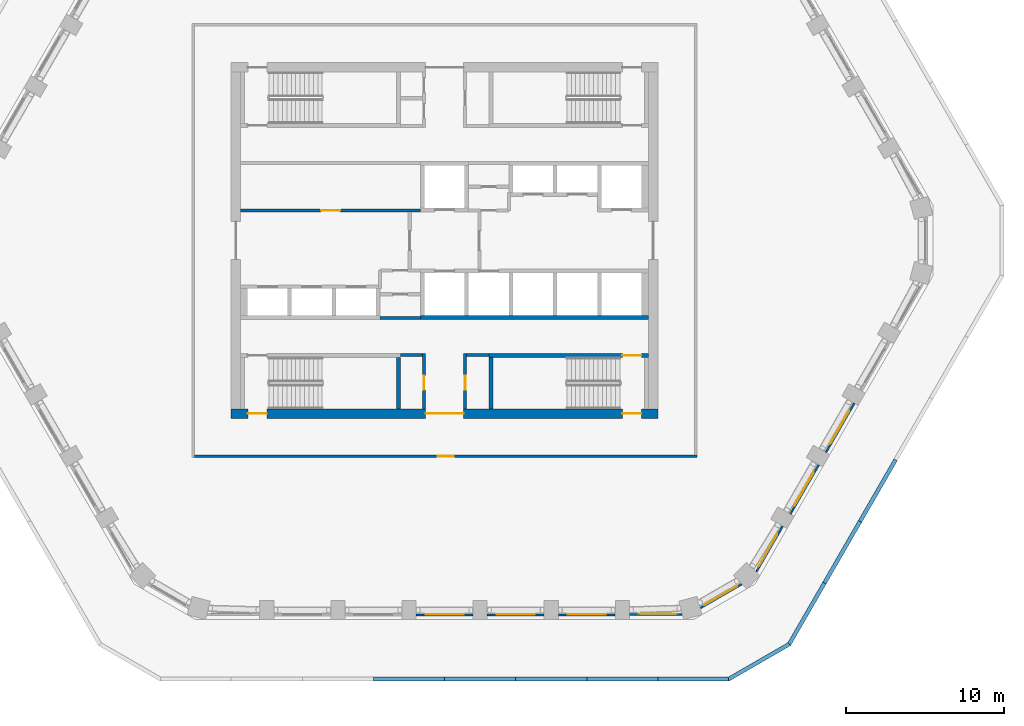
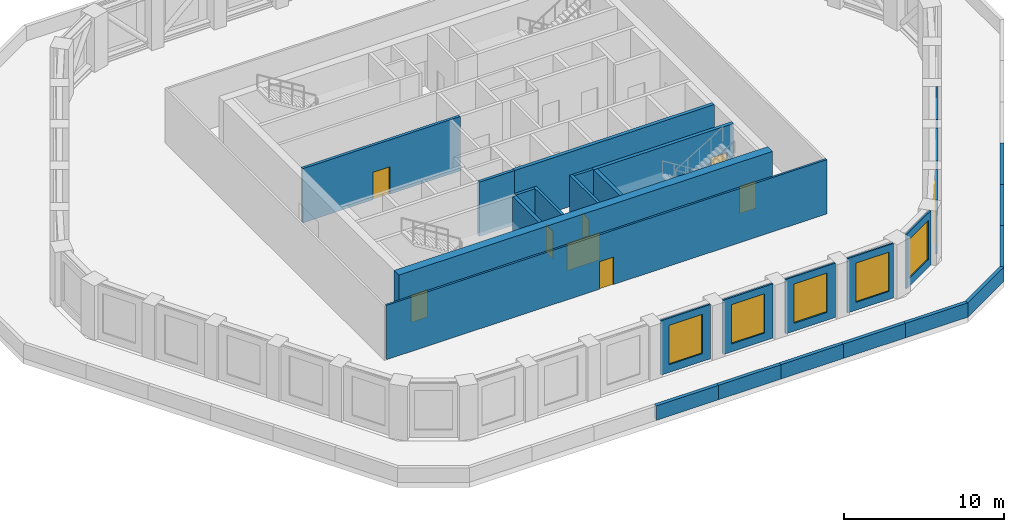
# One storey, part 4 of 14: 29 walls, 8 doors, 8 windows, 16 openings.
"""IFC4 building model written with IfcOpenShell, lengths in metres."""

from ifc_helpers import new_model, si_unit, direction, frame, frame_2d, origin, place, context, subcontext, project, spatial, polyline, rectangle, outline, extrude, material, layer, layer_set, type_object, element, fill, save


model = new_model("IFC4")

# Units and contexts
model_context = context("Model", 3, precision=1e-05, world=origin(), true_north=direction((0.0, 1.0)))
body_context = subcontext(model_context, "Body", "Model", "MODEL_VIEW")
ifc_project = project(units=[si_unit("LENGTHUNIT", "METRE"), si_unit("AREAUNIT", "SQUARE_METRE"), si_unit("VOLUMEUNIT", "CUBIC_METRE"), si_unit("PLANEANGLEUNIT", "RADIAN"), si_unit("MASSUNIT", "GRAM", prefix="KILO")], contexts=[model_context])

# Site, building, storey
site_placement = place(None, origin())
site = spatial("IfcSite", under=ifc_project, at=site_placement, CompositionType="ELEMENT")
building_placement = place(site_placement, origin())
building = spatial("IfcBuilding", under=site, at=building_placement, Name="Dhurran Vertical Campus", CompositionType="ELEMENT")
storey_placement = place(building_placement, frame((0.0, 0.0, 179.39990234375)))
storey = spatial("IfcBuildingStorey", under=building, at=storey_placement, Name="L44 Plant", CompositionType="ELEMENT", Elevation=179.39990234375)

# Wall, opening, window
ifc_material_1 = material(Name="Precast concrete C50/60", Category="concrete")
ifc_layer_1 = layer(ifc_material_1, 0.1201171875)
ifc_layer_set_1 = layer_set([ifc_layer_1], Name="Precast concrete C50/60")
wall_type_1 = type_object("IfcWallType", Name="Precast louvre-bay panel 120", PredefinedType="SOLIDWALL", material=ifc_layer_set_1)
wall_1_placement = place(storey_placement, frame((-1.799560546875, -23.705322265625, 0.0), z_axis=(0.0, 0.0, 1.0), x_axis=(1.0, 0.0, 0.0)))
wall_1 = element("IfcWall", 1, at=wall_1_placement, inside=storey, type_object=wall_type_1, Name="EW4 L44.03", PredefinedType="SOLIDWALL", context=body_context, shape_type="SweptSolid", body=[
    extrude(rectangle(XDim=3.59912109375, YDim=0.1201171875, at=frame_2d((1.799560546875, 0.0))), origin(), (0.0, 0.0, 1.0), 4.150146484375),
])
opening_1_placement = place(wall_1_placement, frame((0.599609375, 0.0, 0.60009765625)))
opening_1 = element("IfcOpeningElement", 2, at=opening_1_placement, cuts=wall_1, Name="Opening WT4", PredefinedType="OPENING", context=body_context, shape_type="SweptSolid", body=[
    extrude(rectangle(XDim=2.39990234375, YDim=3.0, at=frame_2d((1.199951171875, 1.5))), frame((0.0, 0.070068359375, 0.0), z_axis=(0.0, -1.0, 0.0), x_axis=(1.0, 0.0, 0.0)), (0.0, 0.0, 1.0), 0.14013671875),
])
ifc_material_2 = material(Name="Aluminium louvre", Category="aluminium")
window_type = type_object("IfcWindowType", Name="Louvred plant vent 2400 x 3000", PartitioningType="SINGLE_PANEL", PredefinedType="WINDOW", material=ifc_material_2)
window_1_placement = place(opening_1_placement, origin())
window_1 = element("IfcWindow", 3, at=window_1_placement, inside=storey, type_object=window_type, Name="WT4 L44.03", OverallHeight=3.0, OverallWidth=2.39990234375, PartitioningType="SINGLE_PANEL", PredefinedType="WINDOW", context=body_context, shape_type="SweptSolid", body=[
    extrude(rectangle(XDim=2.39990234375, YDim=3.0, at=frame_2d((1.199951171875, 1.5))), frame((0.0, 0.06005859375, 0.0), z_axis=(0.0, -1.0, 0.0), x_axis=(1.0, 0.0, 0.0)), (0.0, 0.0, 1.0), 0.02001953125),
])
fill(opening_1, window_1)

wall_2_placement = place(storey_placement, frame((2.700439453125, -23.705322265625, 0.0), z_axis=(0.0, 0.0, 1.0), x_axis=(1.0, 0.0, 0.0)))
wall_2 = element("IfcWall", 4, at=wall_2_placement, inside=storey, type_object=wall_type_1, Name="EW4 L44.04", PredefinedType="SOLIDWALL", context=body_context, shape_type="SweptSolid", body=[
    extrude(rectangle(XDim=3.59912109375, YDim=0.1201171875, at=frame_2d((1.799560546875, 0.0))), origin(), (0.0, 0.0, 1.0), 4.150146484375),
])
opening_2_placement = place(wall_2_placement, frame((0.599609375, 0.0, 0.60009765625)))
opening_2 = element("IfcOpeningElement", 5, at=opening_2_placement, cuts=wall_2, Name="Opening WT4", PredefinedType="OPENING", context=body_context, shape_type="SweptSolid", body=[
    extrude(rectangle(XDim=2.39990234375, YDim=3.0, at=frame_2d((1.199951171875, 1.5))), frame((0.0, 0.070068359375, 0.0), z_axis=(0.0, -1.0, 0.0), x_axis=(1.0, 0.0, 0.0)), (0.0, 0.0, 1.0), 0.14013671875),
])
window_2_placement = place(opening_2_placement, origin())
window_2 = element("IfcWindow", 6, at=window_2_placement, inside=storey, type_object=window_type, Name="WT4 L44.04", OverallHeight=3.0, OverallWidth=2.39990234375, PartitioningType="SINGLE_PANEL", PredefinedType="WINDOW", context=body_context, shape_type="SweptSolid", body=[
    extrude(rectangle(XDim=2.39990234375, YDim=3.0, at=frame_2d((1.199951171875, 1.5))), frame((0.0, 0.06005859375, 0.0), z_axis=(0.0, -1.0, 0.0), x_axis=(1.0, 0.0, 0.0)), (0.0, 0.0, 1.0), 0.02001953125),
])
fill(opening_2, window_2)

wall_3_placement = place(storey_placement, frame((7.200439453125, -23.705322265625, 0.0), z_axis=(0.0, 0.0, 1.0), x_axis=(1.0, 0.0, 0.0)))
wall_3 = element("IfcWall", 7, at=wall_3_placement, inside=storey, type_object=wall_type_1, Name="EW4 L44.05", PredefinedType="SOLIDWALL", context=body_context, shape_type="SweptSolid", body=[
    extrude(rectangle(XDim=3.59912109375, YDim=0.1201171875, at=frame_2d((1.799560546875, 0.0))), origin(), (0.0, 0.0, 1.0), 4.150146484375),
])
opening_3_placement = place(wall_3_placement, frame((0.599609375, 0.0, 0.60009765625)))
opening_3 = element("IfcOpeningElement", 8, at=opening_3_placement, cuts=wall_3, Name="Opening WT4", PredefinedType="OPENING", context=body_context, shape_type="SweptSolid", body=[
    extrude(rectangle(XDim=2.39990234375, YDim=3.0, at=frame_2d((1.199951171875, 1.5))), frame((0.0, 0.070068359375, 0.0), z_axis=(0.0, -1.0, 0.0), x_axis=(1.0, 0.0, 0.0)), (0.0, 0.0, 1.0), 0.14013671875),
])
window_3_placement = place(opening_3_placement, origin())
window_3 = element("IfcWindow", 9, at=window_3_placement, inside=storey, type_object=window_type, Name="WT4 L44.05", OverallHeight=3.0, OverallWidth=2.39990234375, PartitioningType="SINGLE_PANEL", PredefinedType="WINDOW", context=body_context, shape_type="SweptSolid", body=[
    extrude(rectangle(XDim=2.39990234375, YDim=3.0, at=frame_2d((1.199951171875, 1.5))), frame((0.0, 0.06005859375, 0.0), z_axis=(0.0, -1.0, 0.0), x_axis=(1.0, 0.0, 0.0)), (0.0, 0.0, 1.0), 0.02001953125),
])
fill(opening_3, window_3)

wall_4_placement = place(storey_placement, frame((11.700439453125, -23.66943359375, 0.0), z_axis=(0.0, 0.0, 1.0), x_axis=(1.0, 0.0, 0.0)))
wall_4 = element("IfcWall", 10, at=wall_4_placement, inside=storey, type_object=wall_type_1, Name="EW4 L44.06", PredefinedType="SOLIDWALL", context=body_context, shape_type="SweptSolid", body=[
    extrude(rectangle(XDim=3.327392578125, YDim=0.1201171875, at=frame_2d((1.66357421875, 0.0))), origin(), (0.0, 0.0, 1.0), 4.150146484375),
])
opening_4_placement = place(wall_4_placement, frame((0.599609375, 0.0, 0.60009765625)))
opening_4 = element("IfcOpeningElement", 11, at=opening_4_placement, cuts=wall_4, Name="Opening WT4", PredefinedType="OPENING", context=body_context, shape_type="SweptSolid", body=[
    extrude(rectangle(XDim=2.39990234375, YDim=3.0, at=frame_2d((1.199951171875, 1.5))), frame((0.0, 0.070068359375, 0.0), z_axis=(0.0, -1.0, 0.0), x_axis=(1.0, 0.0, 0.0)), (0.0, 0.0, 1.0), 0.14013671875),
])
window_4_placement = place(opening_4_placement, origin())
window_4 = element("IfcWindow", 12, at=window_4_placement, inside=storey, type_object=window_type, Name="WT4 L44.06", OverallHeight=3.0, OverallWidth=2.39990234375, PartitioningType="SINGLE_PANEL", PredefinedType="WINDOW", context=body_context, shape_type="SweptSolid", body=[
    extrude(rectangle(XDim=2.39990234375, YDim=3.0, at=frame_2d((1.199951171875, 1.5))), frame((0.0, 0.06005859375, 0.0), z_axis=(0.0, -1.0, 0.0), x_axis=(1.0, 0.0, 0.0)), (0.0, 0.0, 1.0), 0.02001953125),
])
fill(opening_4, window_4)

wall_5_placement = place(storey_placement, frame((16.19091796875, -23.251708984375, 0.0), z_axis=(0.0, 0.0, 1.0), x_axis=(0.866037998184, 0.499978185225, 0.0)))
wall_5 = element("IfcWall", 13, at=wall_5_placement, inside=storey, type_object=wall_type_1, Name="EW4 L44.07", PredefinedType="SOLIDWALL", context=body_context, shape_type="SweptSolid", body=[
    extrude(rectangle(XDim=3.002685546875, YDim=0.1201171875, at=frame_2d((1.50146484375, 0.0))), origin(), (0.0, 0.0, 1.0), 4.150146484375),
])
opening_5_placement = place(wall_5_placement, frame((0.30126953125, 0.0, 0.60009765625)))
opening_5 = element("IfcOpeningElement", 14, at=opening_5_placement, cuts=wall_5, Name="Opening WT4", PredefinedType="OPENING", context=body_context, shape_type="SweptSolid", body=[
    extrude(rectangle(XDim=2.39990234375, YDim=3.0, at=frame_2d((1.199951171875, 1.5))), frame((0.0, 0.070068359375, 0.0), z_axis=(0.0, -1.0, 0.0), x_axis=(1.0, 0.0, 0.0)), (0.0, 0.0, 1.0), 0.14013671875),
])
window_5_placement = place(opening_5_placement, origin())
window_5 = element("IfcWindow", 15, at=window_5_placement, inside=storey, type_object=window_type, Name="WT4 L44.07", OverallHeight=3.0, OverallWidth=2.39990234375, PartitioningType="SINGLE_PANEL", PredefinedType="WINDOW", context=body_context, shape_type="SweptSolid", body=[
    extrude(rectangle(XDim=2.39990234375, YDim=3.0, at=frame_2d((1.199951171875, 1.5))), frame((0.0, 0.06005859375, 0.0), z_axis=(0.0, -1.0, 0.0), x_axis=(1.0, 0.0, 0.0)), (0.0, 0.0, 1.0), 0.02001953125),
])
fill(opening_5, window_5)

wall_6_placement = place(storey_placement, frame((19.734375, -20.951904296875, 0.0), z_axis=(0.0, 0.0, 1.0), x_axis=(0.500006170614, 0.866021841149, 0.0)))
wall_6 = element("IfcWall", 16, at=wall_6_placement, inside=storey, type_object=wall_type_1, Name="EW4 L44.08", PredefinedType="SOLIDWALL", context=body_context, shape_type="SweptSolid", body=[
    extrude(rectangle(XDim=3.3271484375, YDim=0.1201171875, at=frame_2d((1.66357421875, 0.0))), origin(), (0.0, 0.0, 1.0), 4.150146484375),
])
opening_6_placement = place(wall_6_placement, frame((0.32763671875, 0.0, 0.60009765625)))
opening_6 = element("IfcOpeningElement", 17, at=opening_6_placement, cuts=wall_6, Name="Opening WT4", PredefinedType="OPENING", context=body_context, shape_type="SweptSolid", body=[
    extrude(rectangle(XDim=2.39990234375, YDim=3.0, at=frame_2d((1.199951171875, 1.5))), frame((0.0, 0.070068359375, 0.0), z_axis=(0.0, -1.0, 0.0), x_axis=(1.0, 0.0, 0.0)), (0.0, 0.0, 1.0), 0.14013671875),
])
window_6_placement = place(opening_6_placement, origin())
window_6 = element("IfcWindow", 18, at=window_6_placement, inside=storey, type_object=window_type, Name="WT4 L44.08", OverallHeight=3.0, OverallWidth=2.39990234375, PartitioningType="SINGLE_PANEL", PredefinedType="WINDOW", context=body_context, shape_type="SweptSolid", body=[
    extrude(rectangle(XDim=2.39990234375, YDim=3.0, at=frame_2d((1.199951171875, 1.5))), frame((0.0, 0.06005859375, 0.0), z_axis=(0.0, -1.0, 0.0), x_axis=(1.0, 0.0, 0.0)), (0.0, 0.0, 1.0), 0.02001953125),
])
fill(opening_6, window_6)

wall_7_placement = place(storey_placement, frame((21.879638671875, -17.30810546875, 0.0), z_axis=(0.0, 0.0, 1.0), x_axis=(0.500027802648, 0.866009351323, 0.0)))
wall_7 = element("IfcWall", 19, at=wall_7_placement, inside=storey, type_object=wall_type_1, Name="EW4 L44.09", PredefinedType="SOLIDWALL", context=body_context, shape_type="SweptSolid", body=[
    extrude(rectangle(XDim=3.598876953125, YDim=0.1201171875, at=frame_2d((1.79931640625, 0.0))), origin(), (0.0, 0.0, 1.0), 4.150146484375),
])
opening_7_placement = place(wall_7_placement, frame((0.599609375, 0.0, 0.60009765625)))
opening_7 = element("IfcOpeningElement", 20, at=opening_7_placement, cuts=wall_7, Name="Opening WT4", PredefinedType="OPENING", context=body_context, shape_type="SweptSolid", body=[
    extrude(rectangle(XDim=2.39990234375, YDim=3.0, at=frame_2d((1.199951171875, 1.5))), frame((0.0, 0.070068359375, 0.0), z_axis=(0.0, -1.0, 0.0), x_axis=(1.0, 0.0, 0.0)), (0.0, 0.0, 1.0), 0.14013671875),
])
window_7_placement = place(opening_7_placement, origin())
window_7 = element("IfcWindow", 21, at=window_7_placement, inside=storey, type_object=window_type, Name="WT4 L44.09", OverallHeight=3.0, OverallWidth=2.39990234375, PartitioningType="SINGLE_PANEL", PredefinedType="WINDOW", context=body_context, shape_type="SweptSolid", body=[
    extrude(rectangle(XDim=2.39990234375, YDim=3.0, at=frame_2d((1.199951171875, 1.5))), frame((0.0, 0.06005859375, 0.0), z_axis=(0.0, -1.0, 0.0), x_axis=(1.0, 0.0, 0.0)), (0.0, 0.0, 1.0), 0.02001953125),
])
fill(opening_7, window_7)

wall_8_placement = place(storey_placement, frame((24.129638671875, -13.4111328125, 0.0), z_axis=(0.0, 0.0, 1.0), x_axis=(0.499998428639, 0.866026311008, 0.0)))
wall_8 = element("IfcWall", 22, at=wall_8_placement, inside=storey, type_object=wall_type_1, Name="EW4 L44.10", PredefinedType="SOLIDWALL", context=body_context, shape_type="SweptSolid", body=[
    extrude(rectangle(XDim=3.59912109375, YDim=0.1201171875, at=frame_2d((1.799560546875, 0.0))), origin(), (0.0, 0.0, 1.0), 4.150146484375),
])
opening_8_placement = place(wall_8_placement, frame((0.599609375, 0.0, 0.60009765625)))
opening_8 = element("IfcOpeningElement", 23, at=opening_8_placement, cuts=wall_8, Name="Opening WT4", PredefinedType="OPENING", context=body_context, shape_type="SweptSolid", body=[
    extrude(rectangle(XDim=2.39990234375, YDim=3.0, at=frame_2d((1.199951171875, 1.5))), frame((0.0, 0.070068359375, 0.0), z_axis=(0.0, -1.0, 0.0), x_axis=(1.0, 0.0, 0.0)), (0.0, 0.0, 1.0), 0.14013671875),
])
window_8_placement = place(opening_8_placement, origin())
window_8 = element("IfcWindow", 24, at=window_8_placement, inside=storey, type_object=window_type, Name="WT4 L44.10", OverallHeight=3.0, OverallWidth=2.39990234375, PartitioningType="SINGLE_PANEL", PredefinedType="WINDOW", context=body_context, shape_type="SweptSolid", body=[
    extrude(rectangle(XDim=2.39990234375, YDim=3.0, at=frame_2d((1.199951171875, 1.5))), frame((0.0, 0.06005859375, 0.0), z_axis=(0.0, -1.0, 0.0), x_axis=(1.0, 0.0, 0.0)), (0.0, 0.0, 1.0), 0.02001953125),
])
fill(opening_8, window_8)

# Walls
ifc_material_3 = material(Name="Precast concrete C50/60", Category="concrete")
ifc_layer_2 = layer(ifc_material_3, 0.25)
ifc_layer_set_2 = layer_set([ifc_layer_2], Name="Precast concrete C50/60")
wall_type_2 = type_object("IfcWallType", Name="Precast parapet 250", PredefinedType="PARAPET", material=ifc_layer_set_2)
wall_9_placement = place(storey_placement, origin())
element("IfcWall", 25, at=wall_9_placement, inside=storey, type_object=wall_type_2, Name="PW1 L44.03", PredefinedType="PARAPET", context=body_context, shape_type="SweptSolid", body=[
    extrude(outline(polyline([(-4.5, -27.8828125), (0.0, -27.8828125), (0.0, -27.6328125), (-4.5, -27.6328125), (-4.5, -27.8828125)])), origin(), (0.0, 0.0, 1.0), 1.10009765625),
])
wall_10_placement = place(storey_placement, origin())
element("IfcWall", 26, at=wall_10_placement, inside=storey, type_object=wall_type_2, Name="PW1 L44.04", PredefinedType="PARAPET", context=body_context, shape_type="SweptSolid", body=[
    extrude(outline(polyline([(0.0, -27.8828125), (4.5, -27.8828125), (4.5, -27.6328125), (0.0, -27.6328125), (0.0, -27.8828125)])), origin(), (0.0, 0.0, 1.0), 1.10009765625),
])
wall_11_placement = place(storey_placement, origin())
element("IfcWall", 27, at=wall_11_placement, inside=storey, type_object=wall_type_2, Name="PW1 L44.05", PredefinedType="PARAPET", context=body_context, shape_type="SweptSolid", body=[
    extrude(outline(polyline([(4.5, -27.8828125), (9.0, -27.8828125), (9.0, -27.6328125), (4.5, -27.6328125), (4.5, -27.8828125)])), origin(), (0.0, 0.0, 1.0), 1.10009765625),
])
wall_12_placement = place(storey_placement, origin())
element("IfcWall", 28, at=wall_12_placement, inside=storey, type_object=wall_type_2, Name="PW1 L44.06", PredefinedType="PARAPET", context=body_context, shape_type="SweptSolid", body=[
    extrude(outline(polyline([(9.0, -27.8828125), (13.5, -27.8828125), (13.5, -27.6328125), (9.0, -27.6328125), (9.0, -27.8828125)])), origin(), (0.0, 0.0, 1.0), 1.10009765625),
])
wall_13_placement = place(storey_placement, origin())
element("IfcWall", 29, at=wall_13_placement, inside=storey, type_object=wall_type_2, Name="PW1 L44.07", PredefinedType="PARAPET", context=body_context, shape_type="SweptSolid", body=[
    extrude(outline(polyline([(13.5, -27.8828125), (18.0, -27.8828125), (17.93310546875, -27.6328125), (13.5, -27.6328125), (13.5, -27.8828125)])), origin(), (0.0, 0.0, 1.0), 1.10009765625),
])
wall_14_placement = place(storey_placement, origin())
element("IfcWall", 30, at=wall_14_placement, inside=storey, type_object=wall_type_2, Name="PW1 L44.08", PredefinedType="PARAPET", context=body_context, shape_type="SweptSolid", body=[
    extrude(outline(polyline([(18.0, -27.8828125), (21.897216796875, -25.6328125), (21.714111328125, -25.44970703125), (17.93310546875, -27.6328125), (18.0, -27.8828125)])), origin(), (0.0, 0.0, 1.0), 1.10009765625),
])
wall_15_placement = place(storey_placement, origin())
element("IfcWall", 31, at=wall_15_placement, inside=storey, type_object=wall_type_2, Name="PW1 L44.09", PredefinedType="PARAPET", context=body_context, shape_type="SweptSolid", body=[
    extrude(outline(polyline([(21.897216796875, -25.6328125), (24.147216796875, -21.735595703125), (23.9306640625, -21.610595703125), (21.714111328125, -25.44970703125), (21.897216796875, -25.6328125)])), origin(), (0.0, 0.0, 1.0), 1.10009765625),
])
wall_16_placement = place(storey_placement, origin())
element("IfcWall", 32, at=wall_16_placement, inside=storey, type_object=wall_type_2, Name="PW1 L44.10", PredefinedType="PARAPET", context=body_context, shape_type="SweptSolid", body=[
    extrude(outline(polyline([(24.147216796875, -21.735595703125), (26.397216796875, -17.83837890625), (26.1806640625, -17.71337890625), (23.9306640625, -21.610595703125), (24.147216796875, -21.735595703125)])), origin(), (0.0, 0.0, 1.0), 1.10009765625),
])
wall_17_placement = place(storey_placement, origin())
element("IfcWall", 33, at=wall_17_placement, inside=storey, type_object=wall_type_2, Name="PW1 L44.11", PredefinedType="PARAPET", context=body_context, shape_type="SweptSolid", body=[
    extrude(outline(polyline([(26.397216796875, -17.83837890625), (28.647216796875, -13.94140625), (28.4306640625, -13.81640625), (26.1806640625, -17.71337890625), (26.397216796875, -17.83837890625)])), origin(), (0.0, 0.0, 1.0), 1.10009765625),
])

# Wall, openings, doors
ifc_material_4 = material(Name="Concrete C50/60", Category="concrete")
ifc_layer_3 = layer(ifc_material_4, 0.60009765625)
ifc_layer_set_3 = layer_set([ifc_layer_3], Name="Concrete C50/60")
wall_type_3 = type_object("IfcWallType", Name="co-CORE-WALL-C2-600", PredefinedType="SHEAR", material=ifc_layer_set_3)
wall_18_placement = place(storey_placement, frame((-13.5, -10.949951171875, 0.0), z_axis=(0.0, 0.0, 1.0), x_axis=(1.0, 0.0, 0.0)))
wall_18 = element("IfcWall", 34, at=wall_18_placement, inside=storey, type_object=wall_type_3, Name="Core wall S L44", PredefinedType="SHEAR", context=body_context, shape_type="SweptSolid", body=[
    extrude(rectangle(XDim=27.0, YDim=0.60009765625, at=frame_2d((13.5, 0.0))), origin(), (0.0, 0.0, 1.0), 4.150146484375),
])
opening_9_placement = place(wall_18_placement, frame((12.300048828125, 0.0, 0.0)))
opening_9 = element("IfcOpeningElement", 35, at=opening_9_placement, cuts=wall_18, Name="Opening CV2", PredefinedType="OPENING", context=body_context, shape_type="SweptSolid", body=[
    extrude(rectangle(XDim=2.39990234375, YDim=2.10009765625, at=frame_2d((1.199951171875, 1.050048828125))), frame((0.0, 0.31005859375, 0.0), z_axis=(0.0, -1.0, 0.0), x_axis=(1.0, 0.0, 0.0)), (0.0, 0.0, 1.0), 0.6201171875),
])
opening_10_placement = place(wall_18_placement, frame((1.050048828125, 0.0, 0.0)))
opening_10 = element("IfcOpeningElement", 36, at=opening_10_placement, cuts=wall_18, Name="Opening XD3", PredefinedType="OPENING", context=body_context, shape_type="SweptSolid", body=[
    extrude(rectangle(XDim=1.199951171875, YDim=2.10009765625, at=frame_2d((0.60009765625, 1.050048828125))), frame((0.0, 0.31005859375, 0.0), z_axis=(0.0, -1.0, 0.0), x_axis=(1.0, 0.0, 0.0)), (0.0, 0.0, 1.0), 0.6201171875),
])
opening_11_placement = place(wall_18_placement, frame((24.75, 0.0, 0.0)))
opening_11 = element("IfcOpeningElement", 37, at=opening_11_placement, cuts=wall_18, Name="Opening XD4", PredefinedType="OPENING", context=body_context, shape_type="SweptSolid", body=[
    extrude(rectangle(XDim=1.199951171875, YDim=2.10009765625, at=frame_2d((0.60009765625, 1.050048828125))), frame((0.0, 0.31005859375, 0.0), z_axis=(0.0, -1.0, 0.0), x_axis=(1.0, 0.0, 0.0)), (0.0, 0.0, 1.0), 0.6201171875),
])
ifc_material_5 = material(Name="Fire-rated glazed door set")
door_type_1 = type_object("IfcDoorType", Name="co-D-LOBBY 2400x2100", OperationType="DOUBLE_DOOR_DOUBLE_SWING", PredefinedType="DOOR", material=ifc_material_5)
door_1_placement = place(opening_9_placement, origin())
door_1 = element("IfcDoor", 38, at=door_1_placement, inside=storey, type_object=door_type_1, Name="Core vestibule door S L44", OperationType="DOUBLE_DOOR_DOUBLE_SWING", OverallHeight=2.10009765625, OverallWidth=2.39990234375, PredefinedType="DOOR", context=body_context, shape_type="SweptSolid", body=[
    extrude(rectangle(XDim=2.39990234375, YDim=2.10009765625, at=frame_2d((1.199951171875, 1.050048828125))), frame((0.0, 0.02490234375, 0.0), z_axis=(0.0, -1.0, 0.0), x_axis=(1.0, 0.0, 0.0)), (0.0, 0.0, 1.0), 0.050048828125),
])
fill(opening_9, door_1)
ifc_material_6 = material(Name="Fire-rated steel door set", Category="steel")
door_type_2 = type_object("IfcDoorType", Name="co-D-STAIR-EXIT 1200x2100", OperationType="SINGLE_SWING_RIGHT", PredefinedType="DOOR", material=ifc_material_6)
door_2_placement = place(opening_10_placement, origin())
door_2 = element("IfcDoor", 39, at=door_2_placement, inside=storey, type_object=door_type_2, Name="Stair ST3 exit door L44", OperationType="SINGLE_SWING_RIGHT", OverallHeight=2.10009765625, OverallWidth=1.199951171875, PredefinedType="DOOR", context=body_context, shape_type="SweptSolid", body=[
    extrude(rectangle(XDim=1.199951171875, YDim=2.10009765625, at=frame_2d((0.60009765625, 1.050048828125))), frame((0.0, 0.02490234375, 0.0), z_axis=(0.0, -1.0, 0.0), x_axis=(1.0, 0.0, 0.0)), (0.0, 0.0, 1.0), 0.050048828125),
])
fill(opening_10, door_2)
door_3_placement = place(opening_11_placement, origin())
door_3 = element("IfcDoor", 40, at=door_3_placement, inside=storey, type_object=door_type_2, Name="Stair ST4 exit door L44", OperationType="SINGLE_SWING_RIGHT", OverallHeight=2.10009765625, OverallWidth=1.199951171875, PredefinedType="DOOR", context=body_context, shape_type="SweptSolid", body=[
    extrude(rectangle(XDim=1.199951171875, YDim=2.10009765625, at=frame_2d((0.60009765625, 1.050048828125))), frame((0.0, 0.02490234375, 0.0), z_axis=(0.0, -1.0, 0.0), x_axis=(1.0, 0.0, 0.0)), (0.0, 0.0, 1.0), 0.050048828125),
])
fill(opening_11, door_3)

# Walls
ifc_material_7 = material(Name="Fire-rated masonry blockwork", Category="masonry")
ifc_layer_4 = layer(ifc_material_7, 0.199951171875)
ifc_layer_set_4 = layer_set([ifc_layer_4], Name="Fire-rated masonry blockwork")
wall_type_4 = type_object("IfcWallType", Name="co-FIRE-PARTITION-200", PredefinedType="PARTITIONING", material=ifc_layer_set_4)
for number, where, z_axis, x_axis, name in (
    (41, (-2.800048828125, -7.25, 0.0), (0.0, 0.0, 1.0), (1.0, 0.0, 0.0), "Core partition sl-SW-S L44"),
    (42, (1.39990234375, -7.25, 0.0), (0.0, 0.0, 1.0), (1.0, 0.0, 0.0), "Core partition sl-SE-S L44"),
):
    element("IfcWall", number, at=place(storey_placement, frame(where, z_axis=z_axis, x_axis=x_axis)), inside=storey, type_object=wall_type_4, Name=name, PredefinedType="PARTITIONING", context=body_context, shape_type="SweptSolid", body=[
        extrude(rectangle(XDim=1.400146484375, YDim=0.199951171875, at=frame_2d((0.7001953125, 0.0))), origin(), (0.0, 0.0, 1.0), 4.150146484375),
    ])

# Wall, opening, door
wall_19_placement = place(storey_placement, frame((-1.300048828125, -10.64990234375, 0.0), z_axis=(0.0, 0.0, 1.0), x_axis=(0.0, 1.0, 0.0)))
wall_19 = element("IfcWall", 43, at=wall_19_placement, inside=storey, type_object=wall_type_4, Name="Core partition vest-SW L44", PredefinedType="PARTITIONING", context=body_context, shape_type="SweptSolid", body=[
    extrude(rectangle(XDim=3.5, YDim=0.199951171875, at=frame_2d((1.75, 0.0))), origin(), (0.0, 0.0, 1.0), 4.150146484375),
])
opening_12_placement = place(wall_19_placement, frame((1.199951171875, 0.0, 0.0)))
opening_12 = element("IfcOpeningElement", 44, at=opening_12_placement, cuts=wall_19, Name="Opening BR44-C1", PredefinedType="OPENING", context=body_context, shape_type="SweptSolid", body=[
    extrude(rectangle(XDim=0.89990234375, YDim=2.10009765625, at=frame_2d((0.449951171875, 1.050048828125))), frame((0.0, 0.10986328125, 0.0), z_axis=(0.0, -1.0, 0.0), x_axis=(1.0, 0.0, 0.0)), (0.0, 0.0, 1.0), 0.219970703125),
])
ifc_material_8 = material(Name="Fire-rated timber door set", Category="wood")
door_type_3 = type_object("IfcDoorType", Name="co-D-ROOM 900x2100", OperationType="SINGLE_SWING_LEFT", PredefinedType="DOOR", material=ifc_material_8)
door_4_placement = place(opening_12_placement, origin())
door_4 = element("IfcDoor", 45, at=door_4_placement, inside=storey, type_object=door_type_3, Name="Water tank room door L44", OperationType="SINGLE_SWING_LEFT", OverallHeight=2.10009765625, OverallWidth=0.89990234375, PredefinedType="DOOR", context=body_context, shape_type="SweptSolid", body=[
    extrude(rectangle(XDim=0.89990234375, YDim=2.10009765625, at=frame_2d((0.449951171875, 1.050048828125))), frame((0.0, 0.02490234375, 0.0), z_axis=(0.0, -1.0, 0.0), x_axis=(1.0, 0.0, 0.0)), (0.0, 0.0, 1.0), 0.050048828125),
])
fill(opening_12, door_4)

wall_20_placement = place(storey_placement, frame((1.300048828125, -10.64990234375, 0.0), z_axis=(0.0, 0.0, 1.0), x_axis=(0.0, 1.0, 0.0)))
wall_20 = element("IfcWall", 46, at=wall_20_placement, inside=storey, type_object=wall_type_4, Name="Core partition vest-SE L44", PredefinedType="PARTITIONING", context=body_context, shape_type="SweptSolid", body=[
    extrude(rectangle(XDim=3.5, YDim=0.199951171875, at=frame_2d((1.75, 0.0))), origin(), (0.0, 0.0, 1.0), 4.150146484375),
])
opening_13_placement = place(wall_20_placement, frame((1.199951171875, 0.0, 0.0)))
opening_13 = element("IfcOpeningElement", 47, at=opening_13_placement, cuts=wall_20, Name="Opening BR44-C2", PredefinedType="OPENING", context=body_context, shape_type="SweptSolid", body=[
    extrude(rectangle(XDim=0.89990234375, YDim=2.10009765625, at=frame_2d((0.449951171875, 1.050048828125))), frame((0.0, 0.10986328125, 0.0), z_axis=(0.0, -1.0, 0.0), x_axis=(1.0, 0.0, 0.0)), (0.0, 0.0, 1.0), 0.219970703125),
])
door_5_placement = place(opening_13_placement, origin())
door_5 = element("IfcDoor", 48, at=door_5_placement, inside=storey, type_object=door_type_3, Name="Sprinkler valve room door L44", OperationType="SINGLE_SWING_LEFT", OverallHeight=2.10009765625, OverallWidth=0.89990234375, PredefinedType="DOOR", context=body_context, shape_type="SweptSolid", body=[
    extrude(rectangle(XDim=0.89990234375, YDim=2.10009765625, at=frame_2d((0.449951171875, 1.050048828125))), frame((0.0, 0.02490234375, 0.0), z_axis=(0.0, -1.0, 0.0), x_axis=(1.0, 0.0, 0.0)), (0.0, 0.0, 1.0), 0.050048828125),
])
fill(opening_13, door_5)

wall_21_placement = place(storey_placement, frame((-12.89990234375, 1.89990234375, 0.0), z_axis=(0.0, 0.0, 1.0), x_axis=(1.0, 0.0, 0.0)))
wall_21 = element("IfcWall", 49, at=wall_21_placement, inside=storey, type_object=wall_type_4, Name="Core partition fr-N0-f L44", PredefinedType="PARTITIONING", context=body_context, shape_type="SweptSolid", body=[
    extrude(rectangle(XDim=11.375, YDim=0.199951171875, at=frame_2d((5.6875, 0.0))), origin(), (0.0, 0.0, 1.0), 4.150146484375),
])
opening_14_placement = place(wall_21_placement, frame((5.08740234375, 0.0, 0.0)))
opening_14 = element("IfcOpeningElement", 50, at=opening_14_placement, cuts=wall_21, Name="Opening BR44-C6", PredefinedType="OPENING", context=body_context, shape_type="SweptSolid", body=[
    extrude(rectangle(XDim=1.199951171875, YDim=2.10009765625, at=frame_2d((0.60009765625, 1.050048828125))), frame((0.0, 0.10986328125, 0.0), z_axis=(0.0, -1.0, 0.0), x_axis=(1.0, 0.0, 0.0)), (0.0, 0.0, 1.0), 0.219970703125),
])
ifc_material_9 = material(Name="Fire-rated steel door set", Category="steel")
door_type_4 = type_object("IfcDoorType", Name="co-D-ROOM-PASSAGE 1200x2100", OperationType="SINGLE_SWING_RIGHT", PredefinedType="DOOR", material=ifc_material_9)
door_6_placement = place(opening_14_placement, origin())
door_6 = element("IfcDoor", 51, at=door_6_placement, inside=storey, type_object=door_type_4, Name="Refuge area door L44", OperationType="SINGLE_SWING_RIGHT", OverallHeight=2.10009765625, OverallWidth=1.199951171875, PredefinedType="DOOR", context=body_context, shape_type="SweptSolid", body=[
    extrude(rectangle(XDim=1.199951171875, YDim=2.10009765625, at=frame_2d((0.60009765625, 1.050048828125))), frame((0.0, 0.02490234375, 0.0), z_axis=(0.0, -1.0, 0.0), x_axis=(1.0, 0.0, 0.0)), (0.0, 0.0, 1.0), 0.050048828125),
])
fill(opening_14, door_6)

# Walls
wall_22_placement = place(storey_placement, frame((-4.074951171875, -4.89990234375, 0.0), z_axis=(0.0, 0.0, 1.0), x_axis=(1.0, 0.0, 0.0)))
element("IfcWall", 52, at=wall_22_placement, inside=storey, type_object=wall_type_4, Name="Core partition fr-S0-b L44", PredefinedType="PARTITIONING", context=body_context, shape_type="SweptSolid", body=[
    extrude(rectangle(XDim=2.550048828125, YDim=0.199951171875, at=frame_2d((1.27490234375, 0.0))), origin(), (0.0, 0.0, 1.0), 4.150146484375),
])
ifc_material_10 = material(Name="Concrete C50/60", Category="concrete")
ifc_layer_5 = layer(ifc_material_10, 0.25)
ifc_layer_set_5 = layer_set([ifc_layer_5], Name="Concrete C50/60")
wall_type_5 = type_object("IfcWallType", Name="co-SHAFT-MASS-250", PredefinedType="SHEAR", material=ifc_layer_set_5)
wall_23_placement = place(storey_placement, origin())
element("IfcWall", 53, at=wall_23_placement, inside=storey, type_object=wall_type_5, Name="Lift shaft wall S L44 2", PredefinedType="SHEAR", context=body_context, shape_type="SweptSolid", body=[
    extrude(outline(polyline([(-1.52490234375, -5.0), (12.89990234375, -5.0), (12.89990234375, -4.75), (-1.52490234375, -4.75), (-1.52490234375, -5.0)])), origin(), (0.0, 0.0, 1.0), 4.150146484375),
])
ifc_material_11 = material(Name="Concrete C40/50", Category="concrete")
ifc_layer_6 = layer(ifc_material_11, 0.25)
ifc_layer_set_6 = layer_set([ifc_layer_6], Name="Concrete C40/50")
wall_type_6 = type_object("IfcWallType", Name="co-STAIR-WALL-250", PredefinedType="SHEAR", material=ifc_layer_set_6)
wall_24_placement = place(storey_placement, frame((-2.925048828125, -10.64990234375, 0.0), z_axis=(0.0, 0.0, 1.0), x_axis=(0.0, 1.0, 0.0)))
element("IfcWall", 54, at=wall_24_placement, inside=storey, type_object=wall_type_6, Name="Stair ST3 enclosure wall L44", PredefinedType="SHEAR", context=body_context, shape_type="SweptSolid", body=[
    extrude(rectangle(XDim=3.25, YDim=0.25, at=frame_2d((1.625, 0.0))), origin(), (0.0, 0.0, 1.0), 4.150146484375),
])

# Wall, opening, door
wall_25_placement = place(storey_placement, frame((2.800048828125, -7.27490234375, 0.0), z_axis=(0.0, 0.0, 1.0), x_axis=(1.0, 0.0, 0.0)))
wall_25 = element("IfcWall", 55, at=wall_25_placement, inside=storey, type_object=wall_type_6, Name="Stair ST4 enclosure wall L44", PredefinedType="SHEAR", context=body_context, shape_type="SweptSolid", body=[
    extrude(rectangle(XDim=10.099853515625, YDim=0.25, at=frame_2d((5.0498046875, 0.0))), origin(), (0.0, 0.0, 1.0), 4.150146484375),
])
opening_15_placement = place(wall_25_placement, frame((8.449951171875, 0.0, 0.0)))
opening_15 = element("IfcOpeningElement", 56, at=opening_15_placement, cuts=wall_25, Name="Opening SD4", PredefinedType="OPENING", context=body_context, shape_type="SweptSolid", body=[
    extrude(rectangle(XDim=1.199951171875, YDim=2.10009765625, at=frame_2d((0.60009765625, 1.050048828125))), frame((0.0, 0.135009765625, 0.0), z_axis=(0.0, -1.0, 0.0), x_axis=(1.0, 0.0, 0.0)), (0.0, 0.0, 1.0), 0.27001953125),
])
ifc_material_12 = material(Name="Fire-rated steel door set", Category="steel")
door_type_5 = type_object("IfcDoorType", Name="co-D-STAIR 1200x2100", OperationType="SINGLE_SWING_LEFT", PredefinedType="DOOR", material=ifc_material_12)
door_7_placement = place(opening_15_placement, origin())
door_7 = element("IfcDoor", 57, at=door_7_placement, inside=storey, type_object=door_type_5, Name="Stair ST4 door L44", OperationType="SINGLE_SWING_LEFT", OverallHeight=2.10009765625, OverallWidth=1.199951171875, PredefinedType="DOOR", context=body_context, shape_type="SweptSolid", body=[
    extrude(rectangle(XDim=1.199951171875, YDim=2.10009765625, at=frame_2d((0.60009765625, 1.050048828125))), frame((0.0, 0.02490234375, 0.0), z_axis=(0.0, -1.0, 0.0), x_axis=(1.0, 0.0, 0.0)), (0.0, 0.0, 1.0), 0.050048828125),
])
fill(opening_15, door_7)

# Wall
wall_26_placement = place(storey_placement, frame((2.925048828125, -10.64990234375, 0.0), z_axis=(0.0, 0.0, 1.0), x_axis=(0.0, 1.0, 0.0)))
element("IfcWall", 58, at=wall_26_placement, inside=storey, type_object=wall_type_6, Name="Stair ST4 enclosure wall L44", PredefinedType="SHEAR", context=body_context, shape_type="SweptSolid", body=[
    extrude(rectangle(XDim=3.25, YDim=0.25, at=frame_2d((1.625, 0.0))), origin(), (0.0, 0.0, 1.0), 4.150146484375),
])

# Wall, opening, door
ifc_material_13 = material(Name="Gypsum board corridor wall on steel studs", Category="steel")
ifc_layer_7 = layer(ifc_material_13, 0.14990234375)
ifc_layer_set_7 = layer_set([ifc_layer_7], Name="Gypsum board corridor wall on steel studs")
wall_type_7 = type_object("IfcWallType", Name="fl-CW-150 corridor wall", PredefinedType="PARTITIONING", material=ifc_layer_set_7)
wall_27_placement = place(storey_placement, frame((-15.824951171875, -13.64990234375, 0.0), z_axis=(0.0, 0.0, 1.0), x_axis=(1.0, 0.0, 0.0)))
wall_27 = element("IfcWall", 59, at=wall_27_placement, inside=storey, type_object=wall_type_7, Name="Partition 44-02", PredefinedType="PARTITIONING", context=body_context, shape_type="SweptSolid", body=[
    extrude(rectangle(XDim=31.800048828125, YDim=0.14990234375, at=frame_2d((15.89990234375, 0.0))), origin(), (0.0, 0.0, 1.0), 4.150146484375),
])
opening_16_placement = place(wall_27_placement, frame((15.39990234375, 0.0, 0.0)))
opening_16 = element("IfcOpeningElement", 60, at=opening_16_placement, cuts=wall_27, Name="Opening BR44.01", PredefinedType="OPENING", context=body_context, shape_type="SweptSolid", body=[
    extrude(rectangle(XDim=1.0, YDim=2.10009765625, at=frame_2d((0.5, 1.050048828125))), frame((0.0, 0.0849609375, 0.0), z_axis=(0.0, -1.0, 0.0), x_axis=(1.0, 0.0, 0.0)), (0.0, 0.0, 1.0), 0.169921875),
])
ifc_material_14 = material(Name="Solid-core timber door set, fire-rated", Category="wood")
door_type_6 = type_object("IfcDoorType", Name="fl-D-1000x2100", OperationType="SINGLE_SWING_LEFT", PredefinedType="DOOR", material=ifc_material_14)
door_8_placement = place(opening_16_placement, origin())
door_8 = element("IfcDoor", 61, at=door_8_placement, inside=storey, type_object=door_type_6, Name="Door 44.01", OperationType="SINGLE_SWING_RIGHT", OverallHeight=2.10009765625, OverallWidth=1.0, PredefinedType="DOOR", context=body_context, shape_type="SweptSolid", body=[
    extrude(rectangle(XDim=1.0, YDim=2.10009765625, at=frame_2d((0.5, 1.050048828125))), frame((0.0, 0.02490234375, 0.0), z_axis=(0.0, -1.0, 0.0), x_axis=(1.0, 0.0, 0.0)), (0.0, 0.0, 1.0), 0.050048828125),
])
fill(opening_16, door_8)

save(model, "model.ifc")
